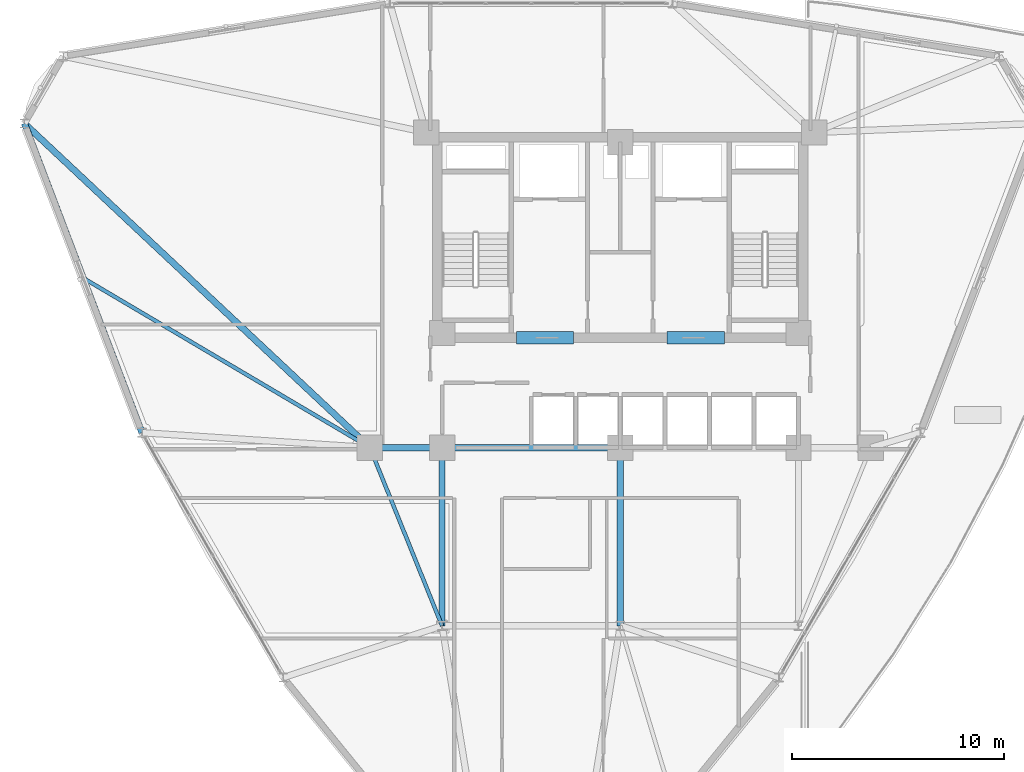
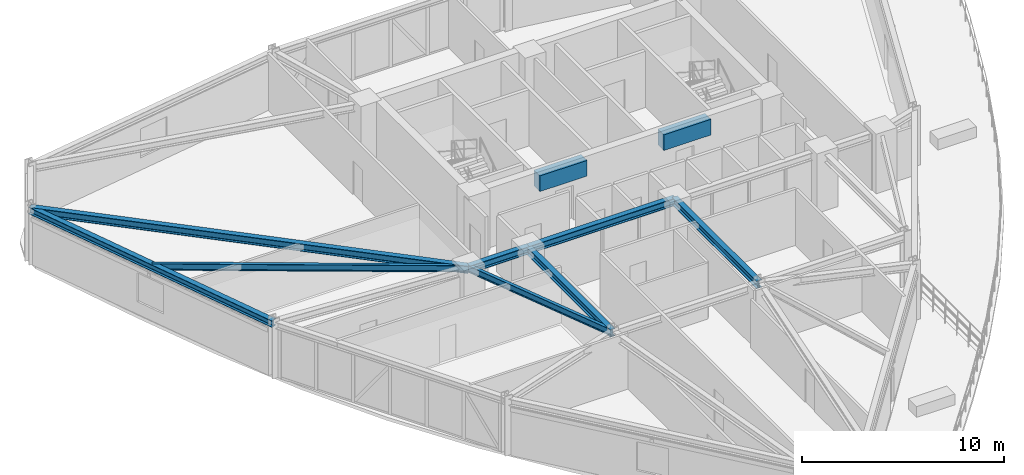
# One storey, part 5 of 18: 10 beams.
"""IFC4 building model written with IfcOpenShell, lengths in metres."""

from ifc_helpers import new_model, si_unit, derived_unit, direction, frame, origin, origin_2d, place, context, subcontext, project, spatial, rectangle, i_section, extrude, source, transform, mapped, material, material_profile, profile_set, type_object, element, save


model = new_model("IFC4")

# Units and contexts
model_context = context("Model", 3, precision=1e-05, world=origin(), true_north=direction((0.0, 1.0)))
body_context = subcontext(model_context, "Body", "Model", "MODEL_VIEW")
ifc_project = project(units=[si_unit("LENGTHUNIT", "METRE"), si_unit("AREAUNIT", "SQUARE_METRE"), si_unit("VOLUMEUNIT", "CUBIC_METRE"), si_unit("PLANEANGLEUNIT", "RADIAN"), si_unit("MASSUNIT", "GRAM", prefix="KILO"), derived_unit("THERMALTRANSMITTANCEUNIT", [(si_unit("POWERUNIT", "WATT"), 1), (si_unit("LENGTHUNIT", "METRE"), -2), (si_unit("THERMODYNAMICTEMPERATUREUNIT", "KELVIN"), -1)])], contexts=[model_context])

# Site, building, storey
site_placement = place(None, origin())
site = spatial("IfcSite", under=ifc_project, at=site_placement, CompositionType="ELEMENT")
building_placement = place(site_placement, origin())
building = spatial("IfcBuilding", under=site, at=building_placement, Name="Korsvarv Bourse and Concert Hall", CompositionType="ELEMENT")
storey_placement = place(building_placement, frame((0.0, 0.0, 136.199951171875)))
storey = spatial("IfcBuildingStorey", under=building, at=storey_placement, Name="L34", CompositionType="ELEMENT", Elevation=136.199951171875)

# Beams
ifc_material_1 = material(Name="Concrete C55/67", Category="concrete")
ifc_material_profile_1 = material_profile(ifc_material_1, rectangle(XDim=0.60009765625, YDim=0.949951171875, at=origin_2d()), Name="RC-BM 600x950")
ifc_profile_set_1 = profile_set([ifc_material_profile_1], Name="Concrete C55/67")
beam_type_1 = type_object("IfcBeamType", Name="BM-CPL", PredefinedType="LINTEL", material=ifc_profile_set_1)
shared_shape_1 = source(origin(), body_context, "Body", "SweptSolid", [
    extrude(rectangle(XDim=0.60009765625, YDim=0.949951171875, at=origin_2d()), origin(), (0.0, 0.0, 1.0), 2.699951171875),
])
for number, where, z_axis, x_axis, name in (
    (1, (31.10009765625, 37.574951171875, 2.925048828125), (1.0, 0.0, 0.0), (0.0, 1.0, 0.0), "L34 Core Coupling Beam West"),
    (2, (38.199951171875, 37.574951171875, 2.925048828125), (1.0, 0.0, 0.0), (0.0, 1.0, 0.0), "L34 Core Coupling Beam East"),
):
    element("IfcBeam", number, at=place(storey_placement, frame(where, z_axis=z_axis, x_axis=x_axis)), inside=storey, type_object=beam_type_1, Name=name, PredefinedType="LINTEL", context=body_context, shape_type="MappedRepresentation", body=[
        mapped(shared_shape_1, transform((0.0, 0.0, 0.0), scale=1.0)),
    ])
ifc_material_2 = material(Name="Steel S355", Category="steel")
ifc_material_profile_2 = material_profile(ifc_material_2, i_section(OverallWidth=0.179931640625, OverallDepth=0.39990234375, WebThickness=0.008544921875, FlangeThickness=0.013427734375, FilletRadius=0.02099609375, at=origin_2d()), Name="IPE 400")
ifc_profile_set_2 = profile_set([ifc_material_profile_2], Name="Steel S355")
beam_type_2 = type_object("IfcBeamType", Name="BM-IPE400", PredefinedType="JOIST", material=ifc_profile_set_2)
shared_shape_2 = source(origin(), body_context, "Body", "SweptSolid", [
    extrude(i_section(OverallWidth=0.179931640625, OverallDepth=0.39990234375, WebThickness=0.008544921875, FlangeThickness=0.013427734375, FilletRadius=0.02099609375, at=origin_2d()), origin(), (0.0, 0.0, 1.0), 9.06201171875),
])
beam_1_placement = place(storey_placement, frame((24.199951171875, 32.39990234375, 3.199951171875), z_axis=(0.375210394783, -0.926939674222, 0.0), x_axis=(0.926939674222, 0.375210394783, 0.0)))
element("IfcBeam", 3, at=beam_1_placement, inside=storey, type_object=beam_type_2, Name="L34 beam J-05", PredefinedType="JOIST", context=body_context, shape_type="MappedRepresentation", body=[
    mapped(shared_shape_2, transform((0.0, 0.0, 0.0), scale=1.0)),
])
ifc_material_profile_3 = material_profile(ifc_material_2, i_section(OverallWidth=0.300048828125, OverallDepth=0.449951171875, WebThickness=0.013916015625, FlangeThickness=0.02587890625, FilletRadius=0.02099609375, at=origin_2d()), Name="HEB 450")
ifc_profile_set_3 = profile_set([ifc_material_profile_3], Name="Steel S355")
beam_type_3 = type_object("IfcBeamType", Name="BM-HEB450", PredefinedType="SPANDREL", material=ifc_profile_set_3)
shared_shape_3 = source(origin(), body_context, "Body", "SweptSolid", [
    extrude(i_section(OverallWidth=0.300048828125, OverallDepth=0.449951171875, WebThickness=0.013916015625, FlangeThickness=0.02587890625, FilletRadius=0.02099609375, at=origin_2d()), origin(), (0.0, 0.0, 1.0), 3.400146484375),
])
beam_2_placement = place(storey_placement, frame((24.199951171875, 32.39990234375, 3.175048828125), z_axis=(1.0, 0.0, 0.0), x_axis=(0.0, 1.0, 0.0)))
element("IfcBeam", 4, at=beam_2_placement, inside=storey, type_object=beam_type_3, Name="L34 beam B-08", PredefinedType="SPANDREL", context=body_context, shape_type="MappedRepresentation", body=[
    mapped(shared_shape_3, transform((0.0, 0.0, 0.0), scale=1.0)),
])
shared_shape_4 = source(origin(), body_context, "Body", "SweptSolid", [
    extrude(i_section(OverallWidth=0.300048828125, OverallDepth=0.449951171875, WebThickness=0.013916015625, FlangeThickness=0.02587890625, FilletRadius=0.02099609375, at=origin_2d()), origin(), (0.0, 0.0, 1.0), 8.39990234375),
])
for number, where, z_axis, x_axis, name in (
    (5, (27.60009765625, 32.39990234375, 3.175048828125), (1.0, 0.0, 0.0), (0.0, 1.0, 0.0), "L34 beam B-08"),
    (6, (27.60009765625, 24.0, 3.175048828125), (0.0, 1.0, 0.0), (-1.0, 0.0, 0.0), "L34 beam B-08"),
    (7, (36.0, 24.0, 3.175048828125), (0.0, 1.0, 0.0), (-1.0, 0.0, 0.0), "L34 beam B-08"),
):
    element("IfcBeam", number, at=place(storey_placement, frame(where, z_axis=z_axis, x_axis=x_axis)), inside=storey, type_object=beam_type_3, Name=name, PredefinedType="SPANDREL", context=body_context, shape_type="MappedRepresentation", body=[
        mapped(shared_shape_4, transform((0.0, 0.0, 0.0), scale=1.0)),
    ])
ifc_material_profile_4 = material_profile(ifc_material_2, i_section(OverallWidth=0.300048828125, OverallDepth=0.39990234375, WebThickness=0.013427734375, FlangeThickness=0.02392578125, FilletRadius=0.02099609375, at=origin_2d()), Name="HEB 400")
ifc_profile_set_4 = profile_set([ifc_material_profile_4], Name="Steel S355")
beam_type_4 = type_object("IfcBeamType", Name="BM-HEB400", PredefinedType="SPANDREL", material=ifc_profile_set_4)
shared_shape_5 = source(origin(), body_context, "Body", "SweptSolid", [
    extrude(i_section(OverallWidth=0.300048828125, OverallDepth=0.39990234375, WebThickness=0.013427734375, FlangeThickness=0.02392578125, FilletRadius=0.02099609375, at=origin_2d()), origin(), (0.0, 0.0, 1.0), 15.5927734375),
])
beam_3_placement = place(storey_placement, frame((7.913818359375, 47.677978515625, 3.199951171875), z_axis=(0.355294650218, -0.934754358923, 0.0), x_axis=(0.934754358923, 0.355294650218, 0.0)))
element("IfcBeam", 8, at=beam_3_placement, inside=storey, type_object=beam_type_4, Name="L34 beam B-09", PredefinedType="SPANDREL", context=body_context, shape_type="MappedRepresentation", body=[
    mapped(shared_shape_5, transform((0.0, 0.0, 0.0), scale=1.0)),
])
shared_shape_6 = source(origin(), body_context, "Body", "SweptSolid", [
    extrude(i_section(OverallWidth=0.300048828125, OverallDepth=0.449951171875, WebThickness=0.013916015625, FlangeThickness=0.02587890625, FilletRadius=0.02099609375, at=origin_2d()), origin(), (0.0, 0.0, 1.0), 22.33056640625),
])
beam_4_placement = place(storey_placement, frame((7.913818359375, 47.677978515625, 3.175048828125), z_axis=(0.729317597648, -0.684175300462, 0.0), x_axis=(0.684175300462, 0.729317597648, 0.0)))
element("IfcBeam", 9, at=beam_4_placement, inside=storey, type_object=beam_type_3, Name="L34 beam B-08", PredefinedType="SPANDREL", context=body_context, shape_type="MappedRepresentation", body=[
    mapped(shared_shape_6, transform((0.0, 0.0, 0.0), scale=1.0)),
])
shared_shape_7 = source(origin(), body_context, "Body", "SweptSolid", [
    extrude(i_section(OverallWidth=0.179931640625, OverallDepth=0.39990234375, WebThickness=0.008544921875, FlangeThickness=0.013427734375, FilletRadius=0.02099609375, at=origin_2d()), origin(), (0.0, 0.0, 1.0), 15.701171875),
])
beam_5_placement = place(storey_placement, frame((10.683837890625, 40.39013671875, 3.199951171875), z_axis=(0.860830551235, -0.508891699737, 0.0), x_axis=(0.508891699737, 0.860830551235, 0.0)))
element("IfcBeam", 10, at=beam_5_placement, inside=storey, type_object=beam_type_2, Name="L34 beam J-05", PredefinedType="JOIST", context=body_context, shape_type="MappedRepresentation", body=[
    mapped(shared_shape_7, transform((0.0, 0.0, 0.0), scale=1.0)),
])

save(model, "model.ifc")
